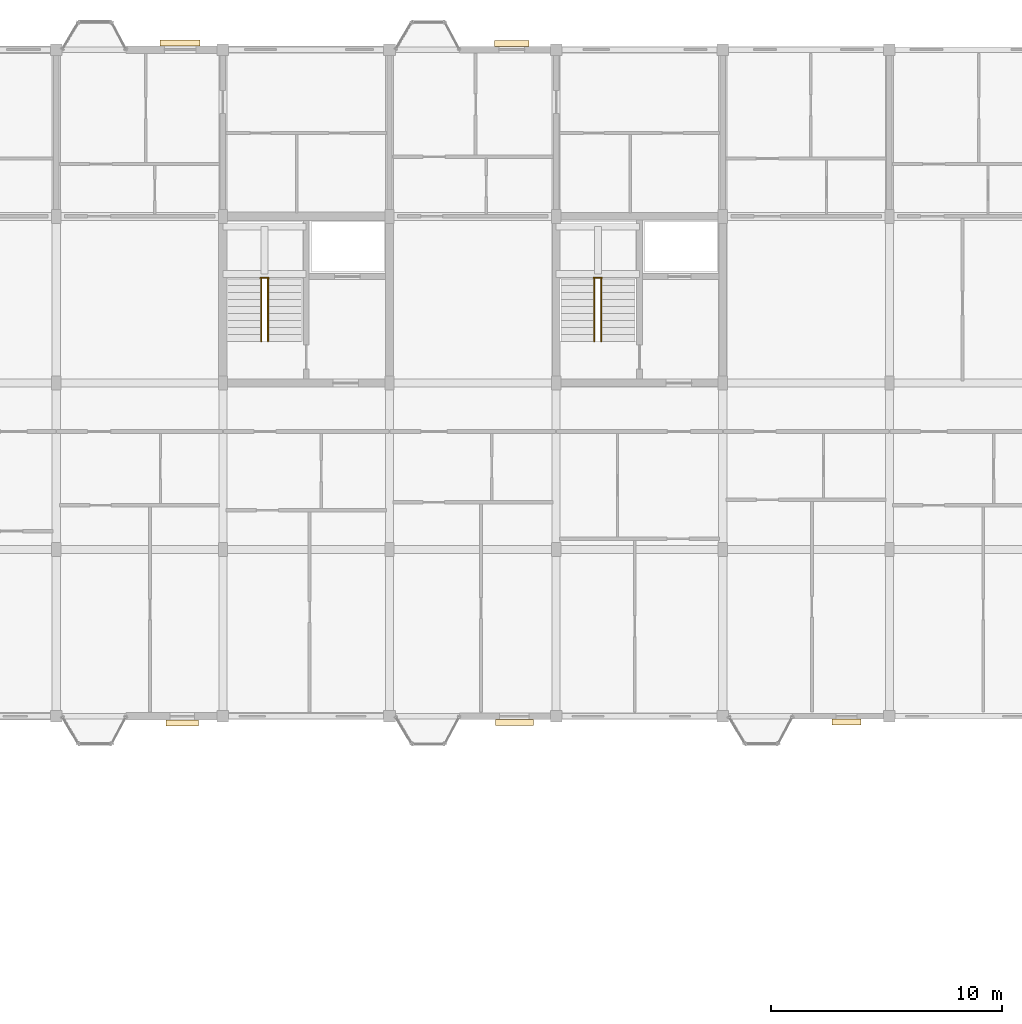
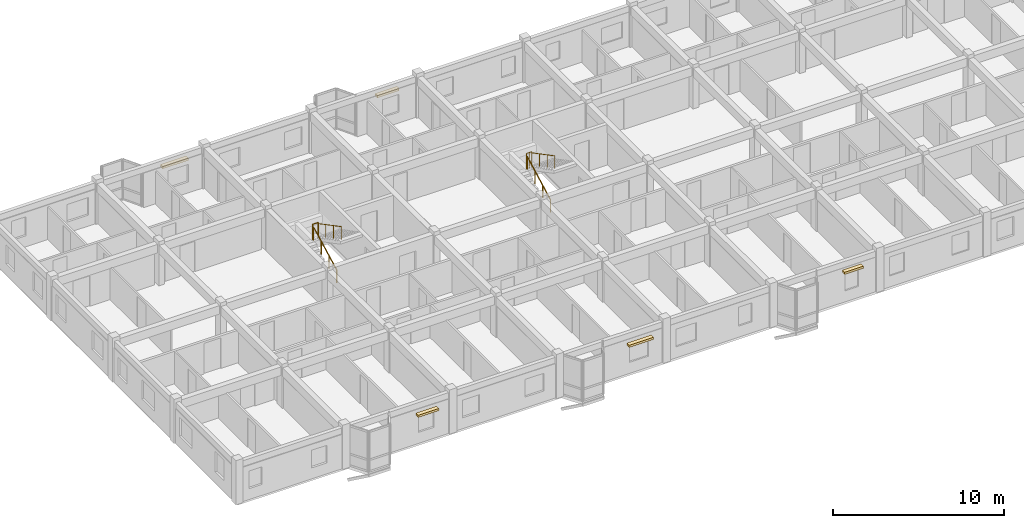
# One storey, part 70 of 70: 6 railings, 5 coverings.
"""IFC4 building model written with IfcOpenShell, lengths in metres."""

from ifc_helpers import new_model, si_unit, direction, frame, origin, origin_2d, place, context, subcontext, project, spatial, rectangle, circle, extrude, material, layer, layer_set, type_object, element, save


model = new_model("IFC4")

# Units and contexts
model_context = context("Model", 3, precision=1e-05, world=origin(), true_north=direction((0.0, 1.0)))
body_context = subcontext(model_context, "Body", "Model", "MODEL_VIEW")
ifc_project = project(units=[si_unit("LENGTHUNIT", "METRE"), si_unit("AREAUNIT", "SQUARE_METRE"), si_unit("VOLUMEUNIT", "CUBIC_METRE"), si_unit("PLANEANGLEUNIT", "RADIAN"), si_unit("MASSUNIT", "GRAM", prefix="KILO"), si_unit("THERMODYNAMICTEMPERATUREUNIT", "KELVIN"), si_unit("POWERUNIT", "WATT")], contexts=[model_context])

# Site, building, storey
site_placement = place(None, origin())
site = spatial("IfcSite", under=ifc_project, at=site_placement, CompositionType="ELEMENT")
building_placement = place(site_placement, origin())
building = spatial("IfcBuilding", under=site, at=building_placement, Name="Tavuni Mirador Residences", CompositionType="ELEMENT")
storey_placement = place(building_placement, frame((0.0, 0.0, 23.39990234375)))
storey = spatial("IfcBuildingStorey", under=building, at=storey_placement, Name="L07", CompositionType="ELEMENT", Elevation=23.39990234375)

# Coverings
ifc_material_1 = material(Name="Natural coral limestone", Category="masonry")
ifc_layer = layer(ifc_material_1, 0.054931640625, Name="Natural coral limestone", Category="masonry")
ifc_layer_set = layer_set([ifc_layer], Name="Natural coral limestone")
covering_type = type_object("IfcCoveringType", Name="CVT-CLAD-CORAL", PredefinedType="CLADDING", material=ifc_layer_set)
covering_1_placement = place(storey_placement, frame((23.445068359375, 143.715576171875, 2.06005859375), z_axis=(0.0, 0.0, 1.0), x_axis=(1.0, 0.0, 0.0)))
element("IfcCovering", 1, at=covering_1_placement, inside=storey, type_object=covering_type, Name="HOOD-0709", PredefinedType="CLADDING", context=body_context, shape_type="SweptSolid", body=[
    extrude(rectangle(XDim=1.39990234375, YDim=0.260009765625, at=origin_2d()), origin(), (0.0, 0.0, 1.0), 0.159912109375),
])
covering_2_placement = place(storey_placement, frame((37.794921875, 143.72802734375, 2.06005859375), z_axis=(0.0, 0.0, 1.0), x_axis=(1.0, 0.0, 0.0)))
element("IfcCovering", 2, at=covering_2_placement, inside=storey, type_object=covering_type, Name="HOOD-0710", PredefinedType="CLADDING", context=body_context, shape_type="SweptSolid", body=[
    extrude(rectangle(XDim=1.639892578125, YDim=0.260009765625, at=origin_2d()), origin(), (0.0, 0.0, 1.0), 0.159912109375),
])
covering_3_placement = place(storey_placement, frame((52.14501953125, 143.74560546875, 2.16015625), z_axis=(0.0, 0.0, 1.0), x_axis=(1.0, 0.0, 0.0)))
element("IfcCovering", 3, at=covering_3_placement, inside=storey, type_object=covering_type, Name="HOOD-0711", PredefinedType="CLADDING", context=body_context, shape_type="SweptSolid", body=[
    extrude(rectangle(XDim=1.260009765625, YDim=0.260009765625, at=origin_2d()), origin(), (0.0, 0.0, 1.0), 0.159912109375),
])
covering_4_placement = place(storey_placement, frame((37.679931640625, 173.072021484375, 2.06005859375), z_axis=(0.0, 0.0, 1.0), x_axis=(-1.0, 0.0, 0.0)))
element("IfcCovering", 4, at=covering_4_placement, inside=storey, type_object=covering_type, Name="HOOD-0712", PredefinedType="CLADDING", context=body_context, shape_type="SweptSolid", body=[
    extrude(rectangle(XDim=1.47998046875, YDim=0.260009765625, at=origin_2d()), origin(), (0.0, 0.0, 1.0), 0.159912109375),
])
covering_5_placement = place(storey_placement, frame((23.35009765625, 173.08447265625, 2.06005859375), z_axis=(0.0, 0.0, 1.0), x_axis=(-1.0, 0.0, 0.0)))
element("IfcCovering", 5, at=covering_5_placement, inside=storey, type_object=covering_type, Name="HOOD-0713", PredefinedType="CLADDING", context=body_context, shape_type="SweptSolid", body=[
    extrude(rectangle(XDim=1.719970703125, YDim=0.260009765625, at=origin_2d()), origin(), (0.0, 0.0, 1.0), 0.159912109375),
])

# Railings
ifc_material_2 = material(Name="Structural steel S355", Category="steel")
railing_type_1 = type_object("IfcRailingType", Name="RT-GR1120", PredefinedType="GUARDRAIL", material=ifc_material_2)
railing_1_placement = place(storey_placement, frame((26.820068359375, 162.93994140625, 1.5751953125)))
element("IfcRailing", 6, at=railing_1_placement, inside=storey, type_object=railing_type_1, Name="GRD-HL-ST5-L07", PredefinedType="GUARDRAIL", context=body_context, shape_type="SweptSolid", body=[
    extrude(circle(Radius=0.02392578125, at=origin_2d()), frame((0.0, 0.0, 1.09619140625), z_axis=(1.0, 0.0, 0.0), x_axis=(0.0, 1.0, 0.0)), (0.0, 0.0, 1.0), 0.35986328125),
    extrude(circle(Radius=0.02099609375, at=origin_2d()), origin(), (0.0, 0.0, 1.0), 1.072021484375),
    extrude(circle(Radius=0.02099609375, at=origin_2d()), frame((0.35986328125, 0.0, 0.0)), (0.0, 0.0, 1.0), 1.072021484375),
])
railing_2_placement = place(storey_placement, frame((41.219970703125, 162.93994140625, 1.5751953125)))
element("IfcRailing", 7, at=railing_2_placement, inside=storey, type_object=railing_type_1, Name="GRD-HL-ST6-L07", PredefinedType="GUARDRAIL", context=body_context, shape_type="SweptSolid", body=[
    extrude(circle(Radius=0.02392578125, at=origin_2d()), frame((0.0, 0.0, 1.09619140625), z_axis=(1.0, 0.0, 0.0), x_axis=(0.0, 1.0, 0.0)), (0.0, 0.0, 1.0), 0.360107421875),
    extrude(circle(Radius=0.02099609375, at=origin_2d()), origin(), (0.0, 0.0, 1.0), 1.072021484375),
    extrude(circle(Radius=0.02099609375, at=origin_2d()), frame((0.18017578125, 0.0, 0.0)), (0.0, 0.0, 1.0), 1.072021484375),
    extrude(circle(Radius=0.02099609375, at=origin_2d()), frame((0.360107421875, 0.0, 0.0)), (0.0, 0.0, 1.0), 1.072021484375),
])
railing_type_2 = type_object("IfcRailingType", Name="RT-HR920", PredefinedType="HANDRAIL", material=ifc_material_2)
railing_3_placement = place(storey_placement, frame((26.85009765625, 160.199951171875, 0.15771484375)))
element("IfcRailing", 8, at=railing_3_placement, inside=storey, type_object=railing_type_2, Name="HR-ST5-L07-F1", PredefinedType="HANDRAIL", context=body_context, shape_type="SweptSolid", body=[
    extrude(circle(Radius=0.02392578125, at=origin_2d()), frame((0.0, 0.0, 0.89599609375), z_axis=(0.0, 0.885397079081, 0.464835468048), x_axis=(-1.0, 0.0, 0.0)), (0.0, 0.0, 1.0), 3.04931640625),
    extrude(circle(Radius=0.02099609375, at=origin_2d()), origin(), (0.0, 0.0, 1.0), 0.871826171875),
    extrude(circle(Radius=0.02099609375, at=origin_2d()), frame((0.0, 0.89990234375, 0.472412109375)), (0.0, 0.0, 1.0), 0.871826171875),
    extrude(circle(Radius=0.02099609375, at=origin_2d()), frame((0.0, 1.800048828125, 0.945068359375)), (0.0, 0.0, 1.0), 0.871826171875),
    extrude(circle(Radius=0.02099609375, at=origin_2d()), frame((0.0, 2.699951171875, 1.41748046875)), (0.0, 0.0, 1.0), 0.871826171875),
])
railing_4_placement = place(storey_placement, frame((27.14990234375, 162.89990234375, 1.732666015625)))
element("IfcRailing", 9, at=railing_4_placement, inside=storey, type_object=railing_type_2, Name="HR-ST5-L07-F2", PredefinedType="HANDRAIL", context=body_context, shape_type="SweptSolid", body=[
    extrude(circle(Radius=0.02392578125, at=origin_2d()), frame((0.0, 0.0, 0.89599609375), z_axis=(0.0, -0.885397079081, 0.464835468048), x_axis=(1.0, 0.0, 0.0)), (0.0, 0.0, 1.0), 3.04931640625),
    extrude(circle(Radius=0.02099609375, at=origin_2d()), origin(), (0.0, 0.0, 1.0), 0.871826171875),
    extrude(circle(Radius=0.02099609375, at=origin_2d()), frame((0.0, -0.89990234375, 0.472412109375)), (0.0, 0.0, 1.0), 0.871826171875),
    extrude(circle(Radius=0.02099609375, at=origin_2d()), frame((0.0, -1.800048828125, 0.945068359375)), (0.0, 0.0, 1.0), 0.871826171875),
    extrude(circle(Radius=0.02099609375, at=origin_2d()), frame((0.0, -2.699951171875, 1.41748046875)), (0.0, 0.0, 1.0), 0.871826171875),
])
railing_5_placement = place(storey_placement, frame((41.25, 160.199951171875, 0.15771484375)))
element("IfcRailing", 10, at=railing_5_placement, inside=storey, type_object=railing_type_2, Name="HR-ST6-L07-F1", PredefinedType="HANDRAIL", context=body_context, shape_type="SweptSolid", body=[
    extrude(circle(Radius=0.02392578125, at=origin_2d()), frame((0.0, 0.0, 0.89599609375), z_axis=(0.0, 0.885397079081, 0.464835468048), x_axis=(-1.0, 0.0, 0.0)), (0.0, 0.0, 1.0), 3.04931640625),
    extrude(circle(Radius=0.02099609375, at=origin_2d()), origin(), (0.0, 0.0, 1.0), 0.871826171875),
    extrude(circle(Radius=0.02099609375, at=origin_2d()), frame((0.0, 0.89990234375, 0.472412109375)), (0.0, 0.0, 1.0), 0.871826171875),
    extrude(circle(Radius=0.02099609375, at=origin_2d()), frame((0.0, 1.800048828125, 0.945068359375)), (0.0, 0.0, 1.0), 0.871826171875),
    extrude(circle(Radius=0.02099609375, at=origin_2d()), frame((0.0, 2.699951171875, 1.41748046875)), (0.0, 0.0, 1.0), 0.871826171875),
])
railing_6_placement = place(storey_placement, frame((41.550048828125, 162.89990234375, 1.732666015625)))
element("IfcRailing", 11, at=railing_6_placement, inside=storey, type_object=railing_type_2, Name="HR-ST6-L07-F2", PredefinedType="HANDRAIL", context=body_context, shape_type="SweptSolid", body=[
    extrude(circle(Radius=0.02392578125, at=origin_2d()), frame((0.0, 0.0, 0.89599609375), z_axis=(0.0, -0.885397079081, 0.464835468048), x_axis=(1.0, 0.0, 0.0)), (0.0, 0.0, 1.0), 3.04931640625),
    extrude(circle(Radius=0.02099609375, at=origin_2d()), origin(), (0.0, 0.0, 1.0), 0.871826171875),
    extrude(circle(Radius=0.02099609375, at=origin_2d()), frame((0.0, -0.89990234375, 0.472412109375)), (0.0, 0.0, 1.0), 0.871826171875),
    extrude(circle(Radius=0.02099609375, at=origin_2d()), frame((0.0, -1.800048828125, 0.945068359375)), (0.0, 0.0, 1.0), 0.871826171875),
    extrude(circle(Radius=0.02099609375, at=origin_2d()), frame((0.0, -2.699951171875, 1.41748046875)), (0.0, 0.0, 1.0), 0.871826171875),
])

save(model, "model.ifc")
